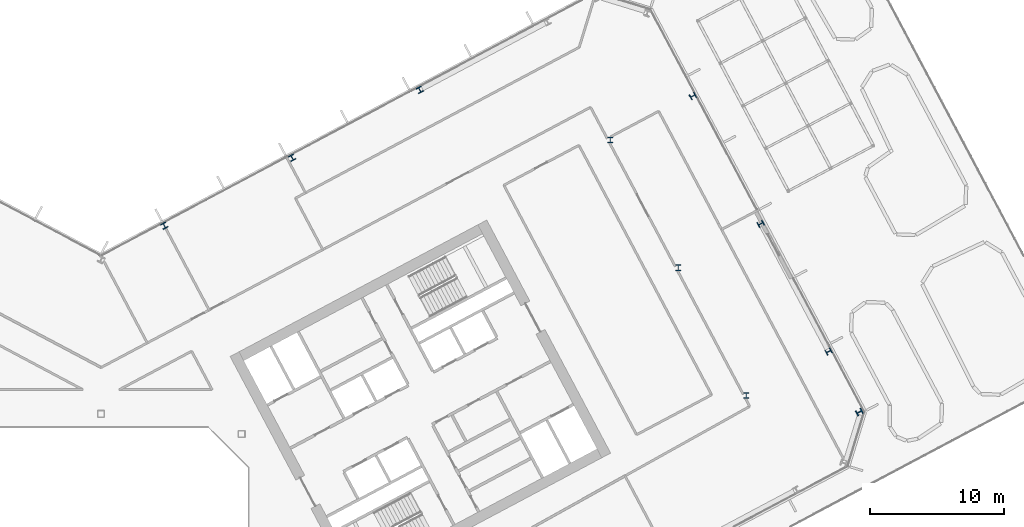
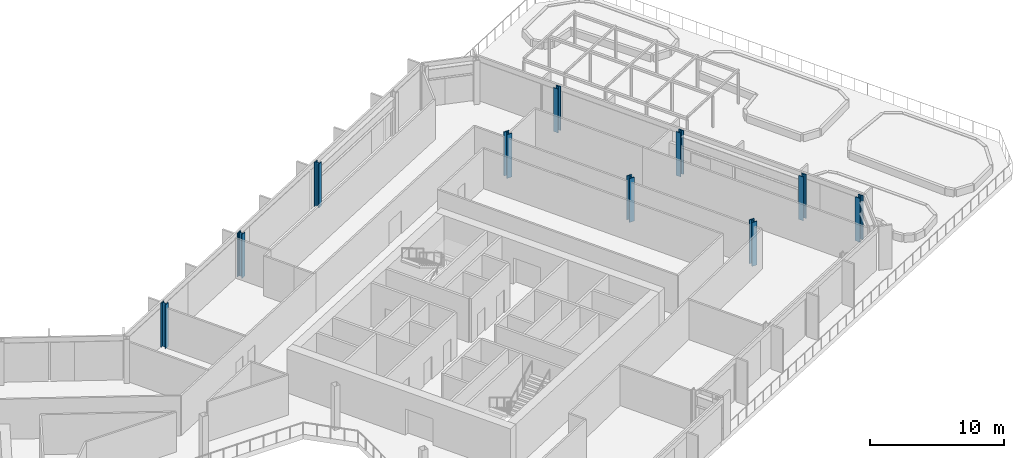
# One storey, part 7 of 34: 10 columns.
"""IFC4 building model written with IfcOpenShell, lengths in metres."""

from ifc_helpers import new_model, si_unit, direction, frame, origin, origin_2d, place, context, subcontext, project, spatial, i_section, extrude, material, material_profile, profile_set, type_object, element, save


model = new_model("IFC4")

# Units and contexts
model_context = context("Model", 3, precision=1e-05, world=origin(), true_north=direction((0.0, 1.0)))
body_context = subcontext(model_context, "Body", "Model", "MODEL_VIEW")
ifc_project = project(units=[si_unit("LENGTHUNIT", "METRE"), si_unit("AREAUNIT", "SQUARE_METRE"), si_unit("VOLUMEUNIT", "CUBIC_METRE"), si_unit("PLANEANGLEUNIT", "RADIAN"), si_unit("MASSUNIT", "GRAM", prefix="KILO")], contexts=[model_context])

# Site, building, storey
site_placement = place(None, origin())
site = spatial("IfcSite", under=ifc_project, at=site_placement, CompositionType="ELEMENT")
building_placement = place(site_placement, origin())
building = spatial("IfcBuilding", under=site, at=building_placement, Name="Cormorant Relay Tower", CompositionType="ELEMENT")
storey_placement = place(building_placement, frame((0.0, 0.0, 118.199951171875)))
storey = spatial("IfcBuildingStorey", under=building, at=storey_placement, Name="L23", CompositionType="ELEMENT", Elevation=118.199951171875)

# Columns
ifc_material_1 = material(Name="Steel ASTM A992 (Fy 345 MPa)", Category="steel")
ifc_material_profile_1 = material_profile(ifc_material_1, i_section(OverallWidth=0.41162109375, OverallDepth=0.434326171875, WebThickness=0.035888671875, FlangeThickness=0.057373046875, FilletRadius=0.01513671875, at=origin_2d()), Name="W360x463")
ifc_profile_set_1 = profile_set([ifc_material_profile_1], Name="Steel ASTM A992 (Fy 345 MPa)")
column_type_1 = type_object("IfcColumnType", Name="Column W360x463", PredefinedType="COLUMN", material=ifc_profile_set_1)
for number, where, z_axis, x_axis, name in (
    (1, (54.321044921875, 16.65087890625, 0.0), (0.0, 0.0, 1.0), (-0.469471562786, 0.882947592859, 0.0), "Column L23-029"),
    (2, (4.72509765625, 26.047119140625, 0.0), (0.0, 0.0, 1.0), (-0.882947592859, -0.469471562786, 0.0), "Column L23-034"),
    (3, (49.2509765625, 26.18701171875, 0.0), (0.0, 0.0, 1.0), (-0.469471562786, 0.882947592859, 0.0), "Column L23-035"),
    (4, (14.260986328125, 31.116943359375, 0.0), (0.0, 0.0, 1.0), (-0.882947592859, -0.469471562786, 0.0), "Column L23-038"),
    (5, (44.180908203125, 35.722900390625, 0.0), (0.0, 0.0, 1.0), (-0.469471562786, 0.882947592859, 0.0), "Column L23-042"),
    (6, (23.7958984375, 36.18798828125, 0.0), (0.0, 0.0, 1.0), (-0.882947592859, -0.469471562786, 0.0), "Column L23-043"),
):
    element("IfcColumn", number, at=place(storey_placement, frame(where, z_axis=z_axis, x_axis=x_axis)), inside=storey, type_object=column_type_1, Name=name, PredefinedType="COLUMN", context=body_context, shape_type="SweptSolid", body=[
        extrude(i_section(OverallWidth=0.41162109375, OverallDepth=0.434326171875, WebThickness=0.035888671875, FlangeThickness=0.057373046875, FilletRadius=0.01513671875, at=origin_2d()), origin(), (0.0, 0.0, 1.0), 4.0),
    ])
ifc_material_2 = material(Name="Steel ASTM A992 (Fy 345 MPa)", Category="steel")
ifc_material_profile_2 = material_profile(ifc_material_2, i_section(OverallWidth=0.42431640625, OverallDepth=0.47509765625, WebThickness=0.0478515625, FlangeThickness=0.0771484375, FilletRadius=0.014892578125, at=origin_2d()), Name="W360x634")
ifc_profile_set_2 = profile_set([ifc_material_profile_2], Name="Steel ASTM A992 (Fy 345 MPa)")
column_type_2 = type_object("IfcColumnType", Name="Column W360x634", PredefinedType="COLUMN", material=ifc_profile_set_2)
for number, where, z_axis, x_axis, name in (
    (7, (56.60791015625, 12.1298828125, 0.0), (0.0, 0.0, 1.0), (-0.469471562786, 0.882947592859, 0.0), "Column L23-026"),
    (8, (48.157958984375, 13.3740234375, 0.0), (0.0, 0.0, 1.0), (1.0, 0.0, 0.0), "Column L23-027"),
    (9, (43.087890625, 22.909912109375, 0.0), (0.0, 0.0, 1.0), (1.0, 0.0, 0.0), "Column L23-031"),
    (10, (38.01806640625, 32.446044921875, 0.0), (0.0, 0.0, 1.0), (1.0, 0.0, 0.0), "Column L23-039"),
):
    element("IfcColumn", number, at=place(storey_placement, frame(where, z_axis=z_axis, x_axis=x_axis)), inside=storey, type_object=column_type_2, Name=name, PredefinedType="COLUMN", context=body_context, shape_type="SweptSolid", body=[
        extrude(i_section(OverallWidth=0.42431640625, OverallDepth=0.47509765625, WebThickness=0.0478515625, FlangeThickness=0.0771484375, FilletRadius=0.014892578125, at=origin_2d()), origin(), (0.0, 0.0, 1.0), 4.0),
    ])

save(model, "model.ifc")
